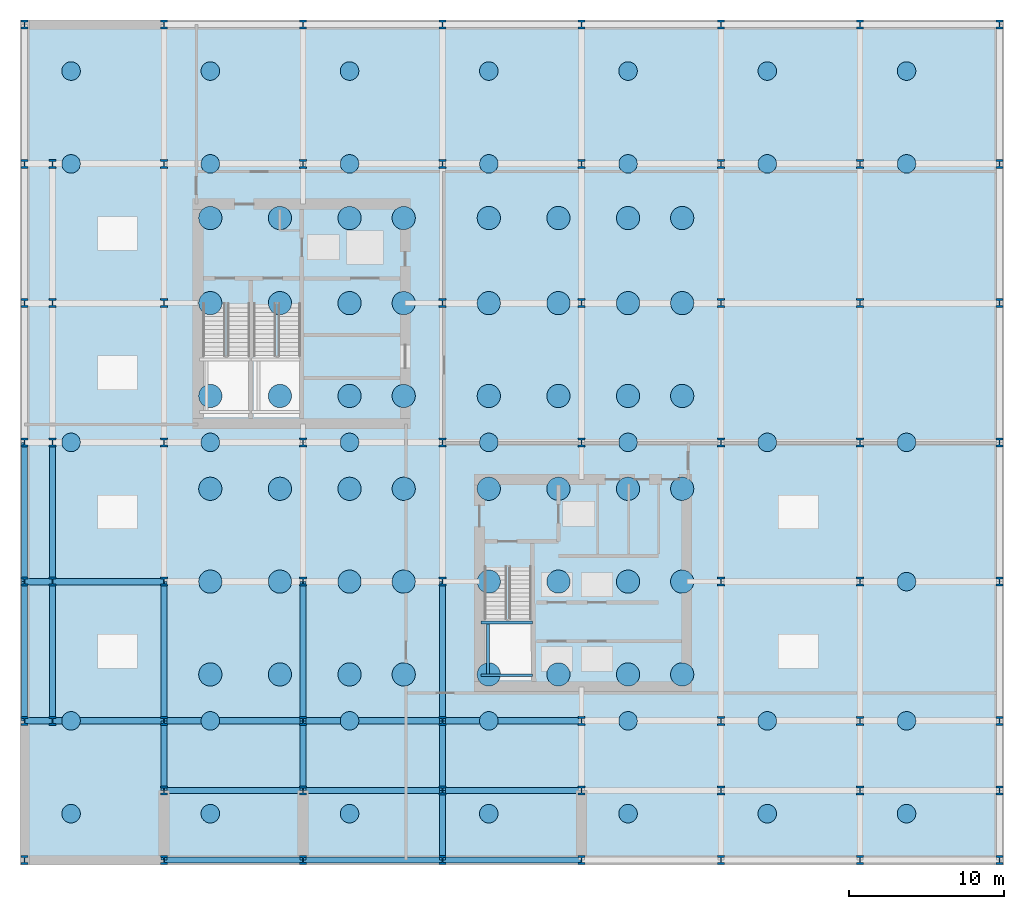
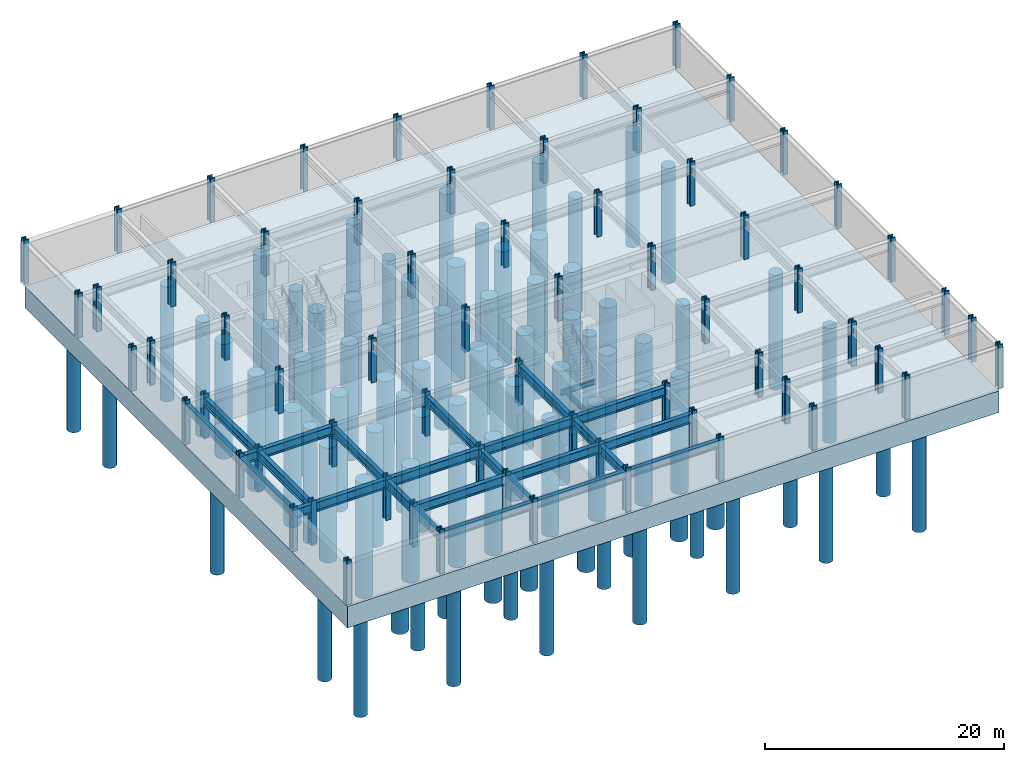
# One storey, part 1 of 7: 84 piles, 66 columns, 29 beams, 1 footing.
"""IFC4 building model written with IfcOpenShell, lengths in metres."""

from ifc_helpers import new_model, si_unit, direction, frame, origin, origin_2d, place, context, subcontext, project, spatial, polyline, circle, i_section, outline, extrude, material, layer, layer_set, material_profile, profile_set, type_object, element, save


model = new_model("IFC4")

# Units and contexts
model_context = context("Model", 3, precision=1e-05, world=origin(), true_north=direction((0.0, 1.0)))
body_context = subcontext(model_context, "Body", "Model", "MODEL_VIEW")
ifc_project = project(units=[si_unit("LENGTHUNIT", "METRE"), si_unit("AREAUNIT", "SQUARE_METRE"), si_unit("VOLUMEUNIT", "CUBIC_METRE"), si_unit("PLANEANGLEUNIT", "RADIAN"), si_unit("MASSUNIT", "GRAM", prefix="KILO")], contexts=[model_context])

# Site, building, storey
site_placement = place(None, origin())
site = spatial("IfcSite", under=ifc_project, at=site_placement, CompositionType="ELEMENT")
building_placement = place(site_placement, origin())
building = spatial("IfcBuilding", under=site, at=building_placement, Name="Solvaryn Broadcast Tower", CompositionType="ELEMENT")
storey_placement = place(building_placement, frame((0.0, 0.0, -9.0)))
storey = spatial("IfcBuildingStorey", under=building, at=storey_placement, Name="B02", CompositionType="ELEMENT", Elevation=-9.0)

# Footing
ifc_material_1 = material(Name="Concrete f'c 60 MPa", Category="concrete")
ifc_layer = layer(ifc_material_1, 2.199951171875)
ifc_layer_set = layer_set([ifc_layer], Name="FT-MAT-2200")
footing_type = type_object("IfcFootingType", Name="FT-MAT-2200", PredefinedType="PAD_FOOTING", material=ifc_layer_set)
footing_placement = place(storey_placement, frame((0.0, 0.0, -2.60009765625)))
element("IfcFooting", 1, at=footing_placement, inside=storey, type_object=footing_type, Name="B02 Reinforced Concrete Mat Foundation", PredefinedType="PAD_FOOTING", context=body_context, shape_type="SweptSolid", body=[
    extrude(outline(polyline([(0.0, 0.0), (63.0, 0.0), (63.0, 54.0), (0.0, 54.0), (0.0, 0.0)])), origin(), (0.0, 0.0, 1.0), 2.2001953125),
])

# Piles
ifc_material_2 = material(Name="Concrete f'c 60 MPa", Category="concrete")
ifc_material_profile_1 = material_profile(ifc_material_2, circle(Radius=0.60009765625, at=origin_2d()))
ifc_profile_set_1 = profile_set([ifc_material_profile_1], Name="Concrete f'c 60 MPa")
pile_type_1 = type_object("IfcPileType", Name="PL-CAISSON-1200", PredefinedType="BORED", material=ifc_profile_set_1)
for number, where, z_axis, x_axis, name in (
    (2, (3.0, 3.0, -2.449951171875), (0.0, 0.0, -1.0), (1.0, 0.0, 0.0), "Rock-Socketed Caisson P2-001"),
    (3, (12.0, 3.0, -2.449951171875), (0.0, 0.0, -1.0), (1.0, 0.0, 0.0), "Rock-Socketed Caisson P2-002"),
    (4, (21.0, 3.0, -2.449951171875), (0.0, 0.0, -1.0), (1.0, 0.0, 0.0), "Rock-Socketed Caisson P2-003"),
    (5, (30.0, 3.0, -2.449951171875), (0.0, 0.0, -1.0), (1.0, 0.0, 0.0), "Rock-Socketed Caisson P2-004"),
    (6, (39.0, 3.0, -2.449951171875), (0.0, 0.0, -1.0), (1.0, 0.0, 0.0), "Rock-Socketed Caisson P2-005"),
    (7, (48.0, 3.0, -2.449951171875), (0.0, 0.0, -1.0), (1.0, 0.0, 0.0), "Rock-Socketed Caisson P2-006"),
    (8, (57.0, 3.0, -2.449951171875), (0.0, 0.0, -1.0), (1.0, 0.0, 0.0), "Rock-Socketed Caisson P2-007"),
    (9, (3.0, 9.0, -2.449951171875), (0.0, 0.0, -1.0), (1.0, 0.0, 0.0), "Rock-Socketed Caisson P2-008"),
    (10, (12.0, 9.0, -2.449951171875), (0.0, 0.0, -1.0), (1.0, 0.0, 0.0), "Rock-Socketed Caisson P2-009"),
    (11, (21.0, 9.0, -2.449951171875), (0.0, 0.0, -1.0), (1.0, 0.0, 0.0), "Rock-Socketed Caisson P2-010"),
    (12, (30.0, 9.0, -2.449951171875), (0.0, 0.0, -1.0), (1.0, 0.0, 0.0), "Rock-Socketed Caisson P2-011"),
    (13, (39.0, 9.0, -2.449951171875), (0.0, 0.0, -1.0), (1.0, 0.0, 0.0), "Rock-Socketed Caisson P2-012"),
    (14, (48.0, 9.0, -2.449951171875), (0.0, 0.0, -1.0), (1.0, 0.0, 0.0), "Rock-Socketed Caisson P2-013"),
    (15, (57.0, 9.0, -2.449951171875), (0.0, 0.0, -1.0), (1.0, 0.0, 0.0), "Rock-Socketed Caisson P2-014"),
    (16, (3.0, 27.0, -2.449951171875), (0.0, 0.0, -1.0), (1.0, 0.0, 0.0), "Rock-Socketed Caisson P2-015"),
    (17, (12.0, 27.0, -2.449951171875), (0.0, 0.0, -1.0), (1.0, 0.0, 0.0), "Rock-Socketed Caisson P2-016"),
    (18, (21.0, 27.0, -2.449951171875), (0.0, 0.0, -1.0), (1.0, 0.0, 0.0), "Rock-Socketed Caisson P2-017"),
    (19, (30.0, 27.0, -2.449951171875), (0.0, 0.0, -1.0), (1.0, 0.0, 0.0), "Rock-Socketed Caisson P2-018"),
    (20, (39.0, 27.0, -2.449951171875), (0.0, 0.0, -1.0), (1.0, 0.0, 0.0), "Rock-Socketed Caisson P2-019"),
    (21, (48.0, 27.0, -2.449951171875), (0.0, 0.0, -1.0), (1.0, 0.0, 0.0), "Rock-Socketed Caisson P2-020"),
    (22, (57.0, 27.0, -2.449951171875), (0.0, 0.0, -1.0), (1.0, 0.0, 0.0), "Rock-Socketed Caisson P2-021"),
    (23, (3.0, 45.0, -2.449951171875), (0.0, 0.0, -1.0), (1.0, 0.0, 0.0), "Rock-Socketed Caisson P2-022"),
    (24, (12.0, 45.0, -2.449951171875), (0.0, 0.0, -1.0), (1.0, 0.0, 0.0), "Rock-Socketed Caisson P2-023"),
    (25, (21.0, 45.0, -2.449951171875), (0.0, 0.0, -1.0), (1.0, 0.0, 0.0), "Rock-Socketed Caisson P2-024"),
    (26, (30.0, 45.0, -2.449951171875), (0.0, 0.0, -1.0), (1.0, 0.0, 0.0), "Rock-Socketed Caisson P2-025"),
    (27, (39.0, 45.0, -2.449951171875), (0.0, 0.0, -1.0), (1.0, 0.0, 0.0), "Rock-Socketed Caisson P2-026"),
    (28, (48.0, 45.0, -2.449951171875), (0.0, 0.0, -1.0), (1.0, 0.0, 0.0), "Rock-Socketed Caisson P2-027"),
    (29, (57.0, 45.0, -2.449951171875), (0.0, 0.0, -1.0), (1.0, 0.0, 0.0), "Rock-Socketed Caisson P2-028"),
    (30, (3.0, 51.0, -2.449951171875), (0.0, 0.0, -1.0), (1.0, 0.0, 0.0), "Rock-Socketed Caisson P2-029"),
    (31, (12.0, 51.0, -2.449951171875), (0.0, 0.0, -1.0), (1.0, 0.0, 0.0), "Rock-Socketed Caisson P2-030"),
    (32, (21.0, 51.0, -2.449951171875), (0.0, 0.0, -1.0), (1.0, 0.0, 0.0), "Rock-Socketed Caisson P2-031"),
    (33, (30.0, 51.0, -2.449951171875), (0.0, 0.0, -1.0), (1.0, 0.0, 0.0), "Rock-Socketed Caisson P2-032"),
    (34, (39.0, 51.0, -2.449951171875), (0.0, 0.0, -1.0), (1.0, 0.0, 0.0), "Rock-Socketed Caisson P2-033"),
    (35, (48.0, 51.0, -2.449951171875), (0.0, 0.0, -1.0), (1.0, 0.0, 0.0), "Rock-Socketed Caisson P2-034"),
    (36, (57.0, 51.0, -2.449951171875), (0.0, 0.0, -1.0), (1.0, 0.0, 0.0), "Rock-Socketed Caisson P2-035"),
    (37, (57.0, 18.0, -2.449951171875), (0.0, 0.0, -1.0), (1.0, 0.0, 0.0), "Rock-Socketed Caisson P2-036"),
):
    element("IfcPile", number, at=place(storey_placement, frame(where, z_axis=z_axis, x_axis=x_axis)), inside=storey, type_object=pile_type_1, Name=name, PredefinedType="BORED", context=body_context, shape_type="SweptSolid", body=[
        extrude(circle(Radius=0.60009765625, at=origin_2d()), origin(), (0.0, 0.0, 1.0), 11.75),
    ])
ifc_material_3 = material(Name="Concrete f'c 60 MPa", Category="concrete")
ifc_material_profile_2 = material_profile(ifc_material_3, circle(Radius=0.75, at=origin_2d()))
ifc_profile_set_2 = profile_set([ifc_material_profile_2], Name="Concrete f'c 60 MPa")
pile_type_2 = type_object("IfcPileType", Name="PL-CAISSON-1500", PredefinedType="BORED", material=ifc_profile_set_2)
for number, where, z_axis, x_axis, name in (
    (38, (12.0, 12.0, -2.449951171875), (0.0, 0.0, -1.0), (1.0, 0.0, 0.0), "Rock-Socketed Caisson P1-001"),
    (39, (12.0, 18.0, -2.449951171875), (0.0, 0.0, -1.0), (1.0, 0.0, 0.0), "Rock-Socketed Caisson P1-002"),
    (40, (12.0, 24.0, -2.449951171875), (0.0, 0.0, -1.0), (1.0, 0.0, 0.0), "Rock-Socketed Caisson P1-003"),
    (41, (12.0, 30.0, -2.449951171875), (0.0, 0.0, -1.0), (1.0, 0.0, 0.0), "Rock-Socketed Caisson P1-004"),
    (42, (12.0, 36.0, -2.449951171875), (0.0, 0.0, -1.0), (1.0, 0.0, 0.0), "Rock-Socketed Caisson P1-005"),
    (43, (12.0, 41.5, -2.449951171875), (0.0, 0.0, -1.0), (1.0, 0.0, 0.0), "Rock-Socketed Caisson P1-006"),
    (44, (16.5, 12.0, -2.449951171875), (0.0, 0.0, -1.0), (1.0, 0.0, 0.0), "Rock-Socketed Caisson P1-007"),
    (45, (16.5, 18.0, -2.449951171875), (0.0, 0.0, -1.0), (1.0, 0.0, 0.0), "Rock-Socketed Caisson P1-008"),
    (46, (16.5, 24.0, -2.449951171875), (0.0, 0.0, -1.0), (1.0, 0.0, 0.0), "Rock-Socketed Caisson P1-009"),
    (47, (16.5, 30.0, -2.449951171875), (0.0, 0.0, -1.0), (1.0, 0.0, 0.0), "Rock-Socketed Caisson P1-010"),
    (48, (16.5, 36.0, -2.449951171875), (0.0, 0.0, -1.0), (1.0, 0.0, 0.0), "Rock-Socketed Caisson P1-011"),
    (49, (16.5, 41.5, -2.449951171875), (0.0, 0.0, -1.0), (1.0, 0.0, 0.0), "Rock-Socketed Caisson P1-012"),
    (50, (21.0, 12.0, -2.449951171875), (0.0, 0.0, -1.0), (1.0, 0.0, 0.0), "Rock-Socketed Caisson P1-013"),
    (51, (21.0, 18.0, -2.449951171875), (0.0, 0.0, -1.0), (1.0, 0.0, 0.0), "Rock-Socketed Caisson P1-014"),
    (52, (21.0, 24.0, -2.449951171875), (0.0, 0.0, -1.0), (1.0, 0.0, 0.0), "Rock-Socketed Caisson P1-015"),
    (53, (21.0, 30.0, -2.449951171875), (0.0, 0.0, -1.0), (1.0, 0.0, 0.0), "Rock-Socketed Caisson P1-016"),
    (54, (21.0, 36.0, -2.449951171875), (0.0, 0.0, -1.0), (1.0, 0.0, 0.0), "Rock-Socketed Caisson P1-017"),
    (55, (21.0, 41.5, -2.449951171875), (0.0, 0.0, -1.0), (1.0, 0.0, 0.0), "Rock-Socketed Caisson P1-018"),
    (56, (24.5, 12.0, -2.449951171875), (0.0, 0.0, -1.0), (1.0, 0.0, 0.0), "Rock-Socketed Caisson P1-019"),
    (57, (24.5, 18.0, -2.449951171875), (0.0, 0.0, -1.0), (1.0, 0.0, 0.0), "Rock-Socketed Caisson P1-020"),
    (58, (24.5, 24.0, -2.449951171875), (0.0, 0.0, -1.0), (1.0, 0.0, 0.0), "Rock-Socketed Caisson P1-021"),
    (59, (24.5, 30.0, -2.449951171875), (0.0, 0.0, -1.0), (1.0, 0.0, 0.0), "Rock-Socketed Caisson P1-022"),
    (60, (24.5, 36.0, -2.449951171875), (0.0, 0.0, -1.0), (1.0, 0.0, 0.0), "Rock-Socketed Caisson P1-023"),
    (61, (24.5, 41.5, -2.449951171875), (0.0, 0.0, -1.0), (1.0, 0.0, 0.0), "Rock-Socketed Caisson P1-024"),
    (62, (30.0, 12.0, -2.449951171875), (0.0, 0.0, -1.0), (1.0, 0.0, 0.0), "Rock-Socketed Caisson P1-025"),
    (63, (30.0, 18.0, -2.449951171875), (0.0, 0.0, -1.0), (1.0, 0.0, 0.0), "Rock-Socketed Caisson P1-026"),
    (64, (30.0, 24.0, -2.449951171875), (0.0, 0.0, -1.0), (1.0, 0.0, 0.0), "Rock-Socketed Caisson P1-027"),
    (65, (30.0, 30.0, -2.449951171875), (0.0, 0.0, -1.0), (1.0, 0.0, 0.0), "Rock-Socketed Caisson P1-028"),
    (66, (30.0, 36.0, -2.449951171875), (0.0, 0.0, -1.0), (1.0, 0.0, 0.0), "Rock-Socketed Caisson P1-029"),
    (67, (30.0, 41.5, -2.449951171875), (0.0, 0.0, -1.0), (1.0, 0.0, 0.0), "Rock-Socketed Caisson P1-030"),
    (68, (34.5, 12.0, -2.449951171875), (0.0, 0.0, -1.0), (1.0, 0.0, 0.0), "Rock-Socketed Caisson P1-031"),
    (69, (34.5, 18.0, -2.449951171875), (0.0, 0.0, -1.0), (1.0, 0.0, 0.0), "Rock-Socketed Caisson P1-032"),
    (70, (34.5, 24.0, -2.449951171875), (0.0, 0.0, -1.0), (1.0, 0.0, 0.0), "Rock-Socketed Caisson P1-033"),
    (71, (34.5, 30.0, -2.449951171875), (0.0, 0.0, -1.0), (1.0, 0.0, 0.0), "Rock-Socketed Caisson P1-034"),
    (72, (34.5, 36.0, -2.449951171875), (0.0, 0.0, -1.0), (1.0, 0.0, 0.0), "Rock-Socketed Caisson P1-035"),
    (73, (34.5, 41.5, -2.449951171875), (0.0, 0.0, -1.0), (1.0, 0.0, 0.0), "Rock-Socketed Caisson P1-036"),
    (74, (39.0, 12.0, -2.449951171875), (0.0, 0.0, -1.0), (1.0, 0.0, 0.0), "Rock-Socketed Caisson P1-037"),
    (75, (39.0, 18.0, -2.449951171875), (0.0, 0.0, -1.0), (1.0, 0.0, 0.0), "Rock-Socketed Caisson P1-038"),
    (76, (39.0, 24.0, -2.449951171875), (0.0, 0.0, -1.0), (1.0, 0.0, 0.0), "Rock-Socketed Caisson P1-039"),
    (77, (39.0, 30.0, -2.449951171875), (0.0, 0.0, -1.0), (1.0, 0.0, 0.0), "Rock-Socketed Caisson P1-040"),
    (78, (39.0, 36.0, -2.449951171875), (0.0, 0.0, -1.0), (1.0, 0.0, 0.0), "Rock-Socketed Caisson P1-041"),
    (79, (39.0, 41.5, -2.449951171875), (0.0, 0.0, -1.0), (1.0, 0.0, 0.0), "Rock-Socketed Caisson P1-042"),
    (80, (42.5, 12.0, -2.449951171875), (0.0, 0.0, -1.0), (1.0, 0.0, 0.0), "Rock-Socketed Caisson P1-043"),
    (81, (42.5, 18.0, -2.449951171875), (0.0, 0.0, -1.0), (1.0, 0.0, 0.0), "Rock-Socketed Caisson P1-044"),
    (82, (42.5, 24.0, -2.449951171875), (0.0, 0.0, -1.0), (1.0, 0.0, 0.0), "Rock-Socketed Caisson P1-045"),
    (83, (42.5, 30.0, -2.449951171875), (0.0, 0.0, -1.0), (1.0, 0.0, 0.0), "Rock-Socketed Caisson P1-046"),
    (84, (42.5, 36.0, -2.449951171875), (0.0, 0.0, -1.0), (1.0, 0.0, 0.0), "Rock-Socketed Caisson P1-047"),
    (85, (42.5, 41.5, -2.449951171875), (0.0, 0.0, -1.0), (1.0, 0.0, 0.0), "Rock-Socketed Caisson P1-048"),
):
    element("IfcPile", number, at=place(storey_placement, frame(where, z_axis=z_axis, x_axis=x_axis)), inside=storey, type_object=pile_type_2, Name=name, PredefinedType="BORED", context=body_context, shape_type="SweptSolid", body=[
        extrude(circle(Radius=0.75, at=origin_2d()), origin(), (0.0, 0.0, 1.0), 11.75),
    ])

# Columns
ifc_material_4 = material(Name="Steel ASTM A913 Grade 65", Category="steel")
ifc_material_profile_3 = material_profile(ifc_material_4, i_section(OverallWidth=0.4541015625, OverallDepth=0.569091796875, WebThickness=0.077880859375, FlangeThickness=0.124755859375, FilletRadius=0.014892578125, at=origin_2d()))
ifc_profile_set_3 = profile_set([ifc_material_profile_3], Name="Steel ASTM A913 Grade 65")
column_type_1 = type_object("IfcColumnType", Name="COL-C01E-W14X730", PredefinedType="COLUMN", material=ifc_profile_set_3)
for number, where, z_axis, x_axis, name in (
    (86, (0.0, 0.0, 0.0), (0.0, 0.0, 1.0), (1.0, 0.0, 0.0), "B02 Column (0.0, 0.0)"),
    (87, (0.0, 9.0, 0.0), (0.0, 0.0, 1.0), (1.0, 0.0, 0.0), "B02 Column (0.0, 9.0)"),
    (88, (0.0, 18.0, 0.0), (0.0, 0.0, 1.0), (1.0, 0.0, 0.0), "B02 Column (0.0, 18.0)"),
    (89, (0.0, 27.0, 0.0), (0.0, 0.0, 1.0), (1.0, 0.0, 0.0), "B02 Column (0.0, 27.0)"),
    (90, (0.0, 36.0, 0.0), (0.0, 0.0, 1.0), (1.0, 0.0, 0.0), "B02 Column (0.0, 36.0)"),
    (91, (0.0, 45.0, 0.0), (0.0, 0.0, 1.0), (1.0, 0.0, 0.0), "B02 Column (0.0, 45.0)"),
    (92, (0.0, 54.0, 0.0), (0.0, 0.0, 1.0), (1.0, 0.0, 0.0), "B02 Column (0.0, 54.0)"),
    (93, (9.0, 0.0, 0.0), (0.0, 0.0, 1.0), (1.0, 0.0, 0.0), "B02 Column (9.0, 0.0)"),
    (94, (9.0, 54.0, 0.0), (0.0, 0.0, 1.0), (1.0, 0.0, 0.0), "B02 Column (9.0, 54.0)"),
    (95, (18.0, 0.0, 0.0), (0.0, 0.0, 1.0), (1.0, 0.0, 0.0), "B02 Column (18.0, 0.0)"),
    (96, (18.0, 54.0, 0.0), (0.0, 0.0, 1.0), (1.0, 0.0, 0.0), "B02 Column (18.0, 54.0)"),
    (97, (27.0, 0.0, 0.0), (0.0, 0.0, 1.0), (1.0, 0.0, 0.0), "B02 Column (27.0, 0.0)"),
    (98, (27.0, 54.0, 0.0), (0.0, 0.0, 1.0), (1.0, 0.0, 0.0), "B02 Column (27.0, 54.0)"),
    (99, (36.0, 0.0, 0.0), (0.0, 0.0, 1.0), (1.0, 0.0, 0.0), "B02 Column (36.0, 0.0)"),
    (100, (36.0, 54.0, 0.0), (0.0, 0.0, 1.0), (1.0, 0.0, 0.0), "B02 Column (36.0, 54.0)"),
    (101, (45.0, 0.0, 0.0), (0.0, 0.0, 1.0), (1.0, 0.0, 0.0), "B02 Column (45.0, 0.0)"),
    (102, (45.0, 54.0, 0.0), (0.0, 0.0, 1.0), (1.0, 0.0, 0.0), "B02 Column (45.0, 54.0)"),
    (103, (54.0, 0.0, 0.0), (0.0, 0.0, 1.0), (1.0, 0.0, 0.0), "B02 Column (54.0, 0.0)"),
    (104, (54.0, 54.0, 0.0), (0.0, 0.0, 1.0), (1.0, 0.0, 0.0), "B02 Column (54.0, 54.0)"),
    (105, (63.0, 0.0, 0.0), (0.0, 0.0, 1.0), (1.0, 0.0, 0.0), "B02 Column (63.0, 0.0)"),
    (106, (63.0, 9.0, 0.0), (0.0, 0.0, 1.0), (1.0, 0.0, 0.0), "B02 Column (63.0, 9.0)"),
    (107, (63.0, 18.0, 0.0), (0.0, 0.0, 1.0), (1.0, 0.0, 0.0), "B02 Column (63.0, 18.0)"),
    (108, (63.0, 27.0, 0.0), (0.0, 0.0, 1.0), (1.0, 0.0, 0.0), "B02 Column (63.0, 27.0)"),
    (109, (63.0, 36.0, 0.0), (0.0, 0.0, 1.0), (1.0, 0.0, 0.0), "B02 Column (63.0, 36.0)"),
    (110, (63.0, 45.0, 0.0), (0.0, 0.0, 1.0), (1.0, 0.0, 0.0), "B02 Column (63.0, 45.0)"),
    (111, (63.0, 54.0, 0.0), (0.0, 0.0, 1.0), (1.0, 0.0, 0.0), "B02 Column (63.0, 54.0)"),
):
    element("IfcColumn", number, at=place(storey_placement, frame(where, z_axis=z_axis, x_axis=x_axis)), inside=storey, type_object=column_type_1, Name=name, PredefinedType="COLUMN", context=body_context, shape_type="SweptSolid", body=[
        extrude(i_section(OverallWidth=0.4541015625, OverallDepth=0.569091796875, WebThickness=0.077880859375, FlangeThickness=0.124755859375, FilletRadius=0.014892578125, at=origin_2d()), origin(), (0.0, 0.0, 1.0), 4.5),
    ])
ifc_material_5 = material(Name="Steel ASTM A913 Grade 65", Category="steel")
ifc_material_profile_4 = material_profile(ifc_material_5, i_section(OverallWidth=0.4541015625, OverallDepth=0.569091796875, WebThickness=0.077880859375, FlangeThickness=0.124755859375, FilletRadius=0.014892578125, at=origin_2d()))
ifc_profile_set_4 = profile_set([ifc_material_profile_4], Name="Steel ASTM A913 Grade 65")
column_type_2 = type_object("IfcColumnType", Name="COL-C01I-W14X730", PredefinedType="COLUMN", material=ifc_profile_set_4)
for number, where, z_axis, x_axis, name in (
    (112, (9.0, 9.0, 0.0), (0.0, 0.0, 1.0), (1.0, 0.0, 0.0), "B02 Column (9.0, 9.0)"),
    (113, (9.0, 18.0, 0.0), (0.0, 0.0, 1.0), (1.0, 0.0, 0.0), "B02 Column (9.0, 18.0)"),
    (114, (9.0, 27.0, 0.0), (0.0, 0.0, 1.0), (1.0, 0.0, 0.0), "B02 Column (9.0, 27.0)"),
    (115, (9.0, 36.0, 0.0), (0.0, 0.0, 1.0), (1.0, 0.0, 0.0), "B02 Column (9.0, 36.0)"),
    (116, (9.0, 45.0, 0.0), (0.0, 0.0, 1.0), (1.0, 0.0, 0.0), "B02 Column (9.0, 45.0)"),
    (117, (18.0, 9.0, 0.0), (0.0, 0.0, 1.0), (1.0, 0.0, 0.0), "B02 Column (18.0, 9.0)"),
    (118, (18.0, 18.0, 0.0), (0.0, 0.0, 1.0), (1.0, 0.0, 0.0), "B02 Column (18.0, 18.0)"),
    (119, (18.0, 27.0, 0.0), (0.0, 0.0, 1.0), (1.0, 0.0, 0.0), "B02 Column (18.0, 27.0)"),
    (120, (18.0, 45.0, 0.0), (0.0, 0.0, 1.0), (1.0, 0.0, 0.0), "B02 Column (18.0, 45.0)"),
    (121, (27.0, 9.0, 0.0), (0.0, 0.0, 1.0), (1.0, 0.0, 0.0), "B02 Column (27.0, 9.0)"),
    (122, (27.0, 18.0, 0.0), (0.0, 0.0, 1.0), (1.0, 0.0, 0.0), "B02 Column (27.0, 18.0)"),
    (123, (27.0, 27.0, 0.0), (0.0, 0.0, 1.0), (1.0, 0.0, 0.0), "B02 Column (27.0, 27.0)"),
    (124, (27.0, 36.0, 0.0), (0.0, 0.0, 1.0), (1.0, 0.0, 0.0), "B02 Column (27.0, 36.0)"),
    (125, (27.0, 45.0, 0.0), (0.0, 0.0, 1.0), (1.0, 0.0, 0.0), "B02 Column (27.0, 45.0)"),
    (126, (36.0, 9.0, 0.0), (0.0, 0.0, 1.0), (1.0, 0.0, 0.0), "B02 Column (36.0, 9.0)"),
    (127, (36.0, 27.0, 0.0), (0.0, 0.0, 1.0), (1.0, 0.0, 0.0), "B02 Column (36.0, 27.0)"),
    (128, (36.0, 36.0, 0.0), (0.0, 0.0, 1.0), (1.0, 0.0, 0.0), "B02 Column (36.0, 36.0)"),
    (129, (36.0, 45.0, 0.0), (0.0, 0.0, 1.0), (1.0, 0.0, 0.0), "B02 Column (36.0, 45.0)"),
    (130, (45.0, 9.0, 0.0), (0.0, 0.0, 1.0), (1.0, 0.0, 0.0), "B02 Column (45.0, 9.0)"),
    (131, (45.0, 18.0, 0.0), (0.0, 0.0, 1.0), (1.0, 0.0, 0.0), "B02 Column (45.0, 18.0)"),
    (132, (45.0, 27.0, 0.0), (0.0, 0.0, 1.0), (1.0, 0.0, 0.0), "B02 Column (45.0, 27.0)"),
    (133, (45.0, 36.0, 0.0), (0.0, 0.0, 1.0), (1.0, 0.0, 0.0), "B02 Column (45.0, 36.0)"),
    (134, (45.0, 45.0, 0.0), (0.0, 0.0, 1.0), (1.0, 0.0, 0.0), "B02 Column (45.0, 45.0)"),
    (135, (54.0, 9.0, 0.0), (0.0, 0.0, 1.0), (1.0, 0.0, 0.0), "B02 Column (54.0, 9.0)"),
    (136, (54.0, 18.0, 0.0), (0.0, 0.0, 1.0), (1.0, 0.0, 0.0), "B02 Column (54.0, 18.0)"),
    (137, (54.0, 27.0, 0.0), (0.0, 0.0, 1.0), (1.0, 0.0, 0.0), "B02 Column (54.0, 27.0)"),
    (138, (54.0, 36.0, 0.0), (0.0, 0.0, 1.0), (1.0, 0.0, 0.0), "B02 Column (54.0, 36.0)"),
    (139, (54.0, 45.0, 0.0), (0.0, 0.0, 1.0), (1.0, 0.0, 0.0), "B02 Column (54.0, 45.0)"),
    (140, (9.0, 4.5, 0.0), (0.0, 0.0, 1.0), (1.0, 0.0, 0.0), "B02 Column (9.0, 4.5)"),
    (141, (18.0, 4.5, 0.0), (0.0, 0.0, 1.0), (1.0, 0.0, 0.0), "B02 Column (18.0, 4.5)"),
    (142, (27.0, 4.5, 0.0), (0.0, 0.0, 1.0), (1.0, 0.0, 0.0), "B02 Column (27.0, 4.5)"),
    (143, (36.0, 4.5, 0.0), (0.0, 0.0, 1.0), (1.0, 0.0, 0.0), "B02 Column (36.0, 4.5)"),
    (144, (45.0, 4.5, 0.0), (0.0, 0.0, 1.0), (1.0, 0.0, 0.0), "B02 Column (45.0, 4.5)"),
    (145, (54.0, 4.5, 0.0), (0.0, 0.0, 1.0), (1.0, 0.0, 0.0), "B02 Column (54.0, 4.5)"),
    (146, (63.0, 4.5, 0.0), (0.0, 0.0, 1.0), (1.0, 0.0, 0.0), "B02 Column (63.0, 4.5)"),
    (147, (1.800048828125, 9.0, 0.0), (0.0, 0.0, 1.0), (1.0, 0.0, 0.0), "B02 Column (1.8, 9.0)"),
    (148, (1.800048828125, 18.0, 0.0), (0.0, 0.0, 1.0), (1.0, 0.0, 0.0), "B02 Column (1.8, 18.0)"),
    (149, (1.800048828125, 27.0, 0.0), (0.0, 0.0, 1.0), (1.0, 0.0, 0.0), "B02 Column (1.8, 27.0)"),
    (150, (1.800048828125, 36.0, 0.0), (0.0, 0.0, 1.0), (1.0, 0.0, 0.0), "B02 Column (1.8, 36.0)"),
    (151, (1.800048828125, 45.0, 0.0), (0.0, 0.0, 1.0), (1.0, 0.0, 0.0), "B02 Column (1.8, 45.0)"),
):
    element("IfcColumn", number, at=place(storey_placement, frame(where, z_axis=z_axis, x_axis=x_axis)), inside=storey, type_object=column_type_2, Name=name, PredefinedType="COLUMN", context=body_context, shape_type="SweptSolid", body=[
        extrude(i_section(OverallWidth=0.4541015625, OverallDepth=0.569091796875, WebThickness=0.077880859375, FlangeThickness=0.124755859375, FilletRadius=0.014892578125, at=origin_2d()), origin(), (0.0, 0.0, 1.0), 4.5),
    ])

# Beams
ifc_material_6 = material(Name="Steel ASTM A992 Grade 50", Category="steel")
ifc_material_profile_5 = material_profile(ifc_material_6, i_section(OverallWidth=0.18994140625, OverallDepth=0.45703125, WebThickness=0.009033203125, FlangeThickness=0.014404296875, FilletRadius=0.011962890625, at=origin_2d()))
ifc_profile_set_5 = profile_set([ifc_material_profile_5], Name="Steel ASTM A992 Grade 50")
beam_type_1 = type_object("IfcBeamType", Name="BM-B4-W18X50", PredefinedType="BEAM", material=ifc_profile_set_5)
for number, where, z_axis, x_axis, name in (
    (152, (29.5, 11.949951171875, 1.821533203125), (1.0, 0.0, 0.0), (0.0, 1.0, 0.0), "B02 ST3 Landing Support Beam 1A"),
    (153, (29.5, 15.35009765625, 1.821533203125), (1.0, 0.0, 0.0), (0.0, 1.0, 0.0), "B02 ST3 Landing Support Beam 1B"),
):
    element("IfcBeam", number, at=place(storey_placement, frame(where, z_axis=z_axis, x_axis=x_axis)), inside=storey, type_object=beam_type_1, Name=name, PredefinedType="BEAM", context=body_context, shape_type="SweptSolid", body=[
        extrude(i_section(OverallWidth=0.18994140625, OverallDepth=0.45703125, WebThickness=0.009033203125, FlangeThickness=0.014404296875, FilletRadius=0.011962890625, at=origin_2d()), origin(), (0.0, 0.0, 1.0), 3.320068359375),
    ])
beam_1_placement = place(storey_placement, frame((29.949951171875, 11.949951171875, 1.821533203125), z_axis=(0.0, 1.0, 0.0), x_axis=(-1.0, 0.0, 0.0)))
element("IfcBeam", 154, at=beam_1_placement, inside=storey, type_object=beam_type_1, Name="B02 ST3 Landing Cross Stringer 1C", PredefinedType="BEAM", context=body_context, shape_type="SweptSolid", body=[
    extrude(i_section(OverallWidth=0.18994140625, OverallDepth=0.45703125, WebThickness=0.009033203125, FlangeThickness=0.014404296875, FilletRadius=0.011962890625, at=origin_2d()), origin(), (0.0, 0.0, 1.0), 3.400146484375),
])
ifc_material_7 = material(Name="Steel ASTM A992 Grade 50", Category="steel")
ifc_material_profile_6 = material_profile(ifc_material_7, i_section(OverallWidth=0.41796875, OverallDepth=0.927001953125, WebThickness=0.019287109375, FlangeThickness=0.031982421875, FilletRadius=0.02392578125, at=origin_2d()))
ifc_profile_set_6 = profile_set([ifc_material_profile_6], Name="Steel ASTM A992 Grade 50")
beam_type_2 = type_object("IfcBeamType", Name="BM-G2-W36X231", PredefinedType="BEAM", material=ifc_profile_set_6)
for number, where, z_axis, x_axis, name in (
    (155, (9.0, 4.5, 3.6865234375), (1.0, 0.0, 0.0), (0.0, 1.0, 0.0), "B02 Primary Beam X (9-18 @ Y=4)"),
    (156, (18.0, 4.5, 3.6865234375), (1.0, 0.0, 0.0), (0.0, 1.0, 0.0), "B02 Primary Beam X (18-27 @ Y=4)"),
    (157, (27.0, 4.5, 3.6865234375), (1.0, 0.0, 0.0), (0.0, 1.0, 0.0), "B02 Primary Beam X (27-36 @ Y=4)"),
):
    element("IfcBeam", number, at=place(storey_placement, frame(where, z_axis=z_axis, x_axis=x_axis)), inside=storey, type_object=beam_type_2, Name=name, PredefinedType="BEAM", context=body_context, shape_type="SweptSolid", body=[
        extrude(i_section(OverallWidth=0.41796875, OverallDepth=0.927001953125, WebThickness=0.019287109375, FlangeThickness=0.031982421875, FilletRadius=0.02392578125, at=origin_2d()), origin(), (0.0, 0.0, 1.0), 9.0),
    ])
beam_2_placement = place(storey_placement, frame((0.0, 9.0, 3.6865234375), z_axis=(1.0, 0.0, 0.0), x_axis=(0.0, 1.0, 0.0)))
element("IfcBeam", 158, at=beam_2_placement, inside=storey, type_object=beam_type_2, Name="B02 Primary Beam X (0-2 @ Y=9)", PredefinedType="BEAM", context=body_context, shape_type="SweptSolid", body=[
    extrude(i_section(OverallWidth=0.41796875, OverallDepth=0.927001953125, WebThickness=0.019287109375, FlangeThickness=0.031982421875, FilletRadius=0.02392578125, at=origin_2d()), origin(), (0.0, 0.0, 1.0), 1.800048828125),
])
beam_3_placement = place(storey_placement, frame((1.800048828125, 9.0, 3.6865234375), z_axis=(1.0, 0.0, 0.0), x_axis=(0.0, 1.0, 0.0)))
element("IfcBeam", 159, at=beam_3_placement, inside=storey, type_object=beam_type_2, Name="B02 Primary Beam X (2-9 @ Y=9)", PredefinedType="BEAM", context=body_context, shape_type="SweptSolid", body=[
    extrude(i_section(OverallWidth=0.41796875, OverallDepth=0.927001953125, WebThickness=0.019287109375, FlangeThickness=0.031982421875, FilletRadius=0.02392578125, at=origin_2d()), origin(), (0.0, 0.0, 1.0), 7.199951171875),
])
for number, where, z_axis, x_axis, name in (
    (160, (9.0, 9.0, 3.6865234375), (1.0, 0.0, 0.0), (0.0, 1.0, 0.0), "B02 Primary Beam X (9-18 @ Y=9)"),
    (161, (18.0, 9.0, 3.6865234375), (1.0, 0.0, 0.0), (0.0, 1.0, 0.0), "B02 Primary Beam X (18-27 @ Y=9)"),
    (162, (27.0, 9.0, 3.6865234375), (1.0, 0.0, 0.0), (0.0, 1.0, 0.0), "B02 Primary Beam X (27-36 @ Y=9)"),
):
    element("IfcBeam", number, at=place(storey_placement, frame(where, z_axis=z_axis, x_axis=x_axis)), inside=storey, type_object=beam_type_2, Name=name, PredefinedType="BEAM", context=body_context, shape_type="SweptSolid", body=[
        extrude(i_section(OverallWidth=0.41796875, OverallDepth=0.927001953125, WebThickness=0.019287109375, FlangeThickness=0.031982421875, FilletRadius=0.02392578125, at=origin_2d()), origin(), (0.0, 0.0, 1.0), 9.0),
    ])
beam_4_placement = place(storey_placement, frame((0.0, 18.0, 3.6865234375), z_axis=(1.0, 0.0, 0.0), x_axis=(0.0, 1.0, 0.0)))
element("IfcBeam", 163, at=beam_4_placement, inside=storey, type_object=beam_type_2, Name="B02 Primary Beam X (0-2 @ Y=18)", PredefinedType="BEAM", context=body_context, shape_type="SweptSolid", body=[
    extrude(i_section(OverallWidth=0.41796875, OverallDepth=0.927001953125, WebThickness=0.019287109375, FlangeThickness=0.031982421875, FilletRadius=0.02392578125, at=origin_2d()), origin(), (0.0, 0.0, 1.0), 1.800048828125),
])
beam_5_placement = place(storey_placement, frame((1.800048828125, 18.0, 3.6865234375), z_axis=(1.0, 0.0, 0.0), x_axis=(0.0, 1.0, 0.0)))
element("IfcBeam", 164, at=beam_5_placement, inside=storey, type_object=beam_type_2, Name="B02 Primary Beam X (2-9 @ Y=18)", PredefinedType="BEAM", context=body_context, shape_type="SweptSolid", body=[
    extrude(i_section(OverallWidth=0.41796875, OverallDepth=0.927001953125, WebThickness=0.019287109375, FlangeThickness=0.031982421875, FilletRadius=0.02392578125, at=origin_2d()), origin(), (0.0, 0.0, 1.0), 7.199951171875),
])
ifc_material_8 = material(Name="Steel ASTM A992 Grade 50", Category="steel")
ifc_material_profile_7 = material_profile(ifc_material_8, i_section(OverallWidth=0.39990234375, OverallDepth=0.85498046875, WebThickness=0.018310546875, FlangeThickness=0.029296875, FilletRadius=0.02001953125, at=origin_2d()))
ifc_profile_set_7 = profile_set([ifc_material_profile_7], Name="Steel ASTM A992 Grade 50")
beam_type_3 = type_object("IfcBeamType", Name="BM-G3-W33X201", PredefinedType="BEAM", material=ifc_profile_set_7)
for number, where, z_axis, x_axis, name in (
    (165, (1.800048828125, 9.0, 3.722412109375), (0.0, 1.0, 0.0), (-1.0, 0.0, 0.0), "B02 Primary Beam Y (9-18 @ X=2)"),
    (166, (1.800048828125, 18.0, 3.722412109375), (0.0, 1.0, 0.0), (-1.0, 0.0, 0.0), "B02 Primary Beam Y (18-27 @ X=2)"),
):
    element("IfcBeam", number, at=place(storey_placement, frame(where, z_axis=z_axis, x_axis=x_axis)), inside=storey, type_object=beam_type_3, Name=name, PredefinedType="BEAM", context=body_context, shape_type="SweptSolid", body=[
        extrude(i_section(OverallWidth=0.39990234375, OverallDepth=0.85498046875, WebThickness=0.018310546875, FlangeThickness=0.029296875, FilletRadius=0.02001953125, at=origin_2d()), origin(), (0.0, 0.0, 1.0), 9.0),
    ])
for number, where, z_axis, x_axis, name in (
    (167, (9.0, 0.0, 3.722412109375), (0.0, 1.0, 0.0), (-1.0, 0.0, 0.0), "B02 Primary Beam Y (0-4 @ X=9)"),
    (168, (9.0, 4.5, 3.722412109375), (0.0, 1.0, 0.0), (-1.0, 0.0, 0.0), "B02 Primary Beam Y (4-9 @ X=9)"),
):
    element("IfcBeam", number, at=place(storey_placement, frame(where, z_axis=z_axis, x_axis=x_axis)), inside=storey, type_object=beam_type_3, Name=name, PredefinedType="BEAM", context=body_context, shape_type="SweptSolid", body=[
        extrude(i_section(OverallWidth=0.39990234375, OverallDepth=0.85498046875, WebThickness=0.018310546875, FlangeThickness=0.029296875, FilletRadius=0.02001953125, at=origin_2d()), origin(), (0.0, 0.0, 1.0), 4.5),
    ])
beam_6_placement = place(storey_placement, frame((9.0, 9.0, 3.722412109375), z_axis=(0.0, 1.0, 0.0), x_axis=(-1.0, 0.0, 0.0)))
element("IfcBeam", 169, at=beam_6_placement, inside=storey, type_object=beam_type_3, Name="B02 Primary Beam Y (9-18 @ X=9)", PredefinedType="BEAM", context=body_context, shape_type="SweptSolid", body=[
    extrude(i_section(OverallWidth=0.39990234375, OverallDepth=0.85498046875, WebThickness=0.018310546875, FlangeThickness=0.029296875, FilletRadius=0.02001953125, at=origin_2d()), origin(), (0.0, 0.0, 1.0), 9.0),
])
for number, where, z_axis, x_axis, name in (
    (170, (18.0, 0.0, 3.722412109375), (0.0, 1.0, 0.0), (-1.0, 0.0, 0.0), "B02 Primary Beam Y (0-4 @ X=18)"),
    (171, (18.0, 4.5, 3.722412109375), (0.0, 1.0, 0.0), (-1.0, 0.0, 0.0), "B02 Primary Beam Y (4-9 @ X=18)"),
):
    element("IfcBeam", number, at=place(storey_placement, frame(where, z_axis=z_axis, x_axis=x_axis)), inside=storey, type_object=beam_type_3, Name=name, PredefinedType="BEAM", context=body_context, shape_type="SweptSolid", body=[
        extrude(i_section(OverallWidth=0.39990234375, OverallDepth=0.85498046875, WebThickness=0.018310546875, FlangeThickness=0.029296875, FilletRadius=0.02001953125, at=origin_2d()), origin(), (0.0, 0.0, 1.0), 4.5),
    ])
beam_7_placement = place(storey_placement, frame((18.0, 9.0, 3.722412109375), z_axis=(0.0, 1.0, 0.0), x_axis=(-1.0, 0.0, 0.0)))
element("IfcBeam", 172, at=beam_7_placement, inside=storey, type_object=beam_type_3, Name="B02 Primary Beam Y (9-18 @ X=18)", PredefinedType="BEAM", context=body_context, shape_type="SweptSolid", body=[
    extrude(i_section(OverallWidth=0.39990234375, OverallDepth=0.85498046875, WebThickness=0.018310546875, FlangeThickness=0.029296875, FilletRadius=0.02001953125, at=origin_2d()), origin(), (0.0, 0.0, 1.0), 9.0),
])
for number, where, z_axis, x_axis, name in (
    (173, (27.0, 0.0, 3.722412109375), (0.0, 1.0, 0.0), (-1.0, 0.0, 0.0), "B02 Primary Beam Y (0-4 @ X=27)"),
    (174, (27.0, 4.5, 3.722412109375), (0.0, 1.0, 0.0), (-1.0, 0.0, 0.0), "B02 Primary Beam Y (4-9 @ X=27)"),
):
    element("IfcBeam", number, at=place(storey_placement, frame(where, z_axis=z_axis, x_axis=x_axis)), inside=storey, type_object=beam_type_3, Name=name, PredefinedType="BEAM", context=body_context, shape_type="SweptSolid", body=[
        extrude(i_section(OverallWidth=0.39990234375, OverallDepth=0.85498046875, WebThickness=0.018310546875, FlangeThickness=0.029296875, FilletRadius=0.02001953125, at=origin_2d()), origin(), (0.0, 0.0, 1.0), 4.5),
    ])
beam_8_placement = place(storey_placement, frame((27.0, 9.0, 3.722412109375), z_axis=(0.0, 1.0, 0.0), x_axis=(-1.0, 0.0, 0.0)))
element("IfcBeam", 175, at=beam_8_placement, inside=storey, type_object=beam_type_3, Name="B02 Primary Beam Y (9-18 @ X=27)", PredefinedType="BEAM", context=body_context, shape_type="SweptSolid", body=[
    extrude(i_section(OverallWidth=0.39990234375, OverallDepth=0.85498046875, WebThickness=0.018310546875, FlangeThickness=0.029296875, FilletRadius=0.02001953125, at=origin_2d()), origin(), (0.0, 0.0, 1.0), 9.0),
])
ifc_material_9 = material(Name="Steel ASTM A992 Grade 50", Category="steel")
ifc_material_profile_8 = material_profile(ifc_material_9, i_section(OverallWidth=0.381103515625, OverallDepth=0.77294921875, WebThickness=0.0166015625, FlangeThickness=0.027099609375, FilletRadius=0.01806640625, at=origin_2d()))
ifc_profile_set_8 = profile_set([ifc_material_profile_8], Name="Steel ASTM A992 Grade 50")
beam_type_4 = type_object("IfcBeamType", Name="BM-SP1-W30X173", PredefinedType="USERDEFINED", material=ifc_profile_set_8)
for number, where, z_axis, x_axis, name in (
    (176, (9.0, 0.0, 3.763427734375), (1.0, 0.0, 0.0), (0.0, 1.0, 0.0), "B02 Spandrel Beam X (9-18 @ Y=0)"),
    (177, (18.0, 0.0, 3.763427734375), (1.0, 0.0, 0.0), (0.0, 1.0, 0.0), "B02 Spandrel Beam X (18-27 @ Y=0)"),
    (178, (27.0, 0.0, 3.763427734375), (1.0, 0.0, 0.0), (0.0, 1.0, 0.0), "B02 Spandrel Beam X (27-36 @ Y=0)"),
    (179, (0.0, 9.0, 3.763427734375), (0.0, 1.0, 0.0), (-1.0, 0.0, 0.0), "B02 Spandrel Beam Y (9-18 @ X=0)"),
    (180, (0.0, 18.0, 3.763427734375), (0.0, 1.0, 0.0), (-1.0, 0.0, 0.0), "B02 Spandrel Beam Y (18-27 @ X=0)"),
):
    element("IfcBeam", number, at=place(storey_placement, frame(where, z_axis=z_axis, x_axis=x_axis)), inside=storey, type_object=beam_type_4, Name=name, ObjectType="SPANDREL", PredefinedType="USERDEFINED", context=body_context, shape_type="SweptSolid", body=[
        extrude(i_section(OverallWidth=0.381103515625, OverallDepth=0.77294921875, WebThickness=0.0166015625, FlangeThickness=0.027099609375, FilletRadius=0.01806640625, at=origin_2d()), origin(), (0.0, 0.0, 1.0), 9.0),
    ])

save(model, "model.ifc")
